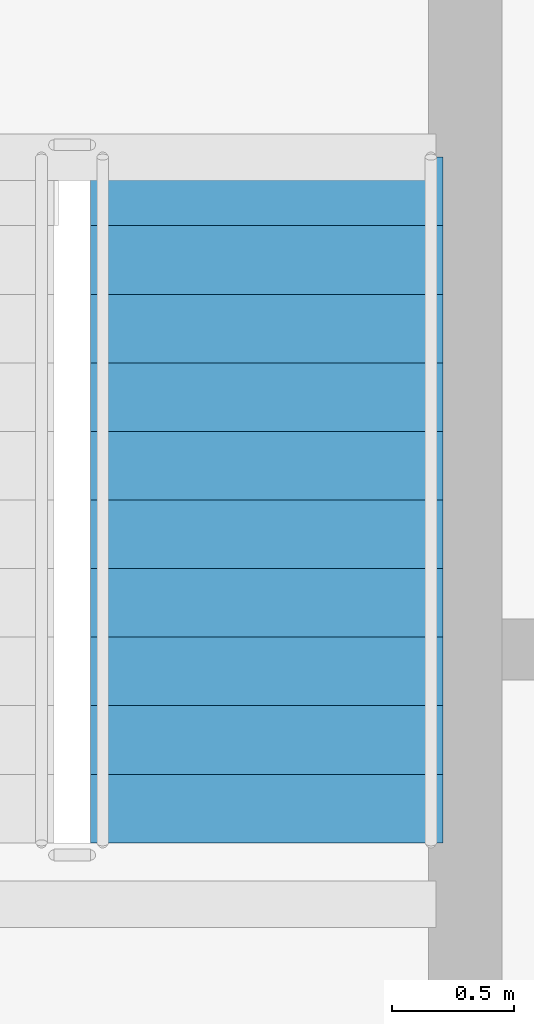
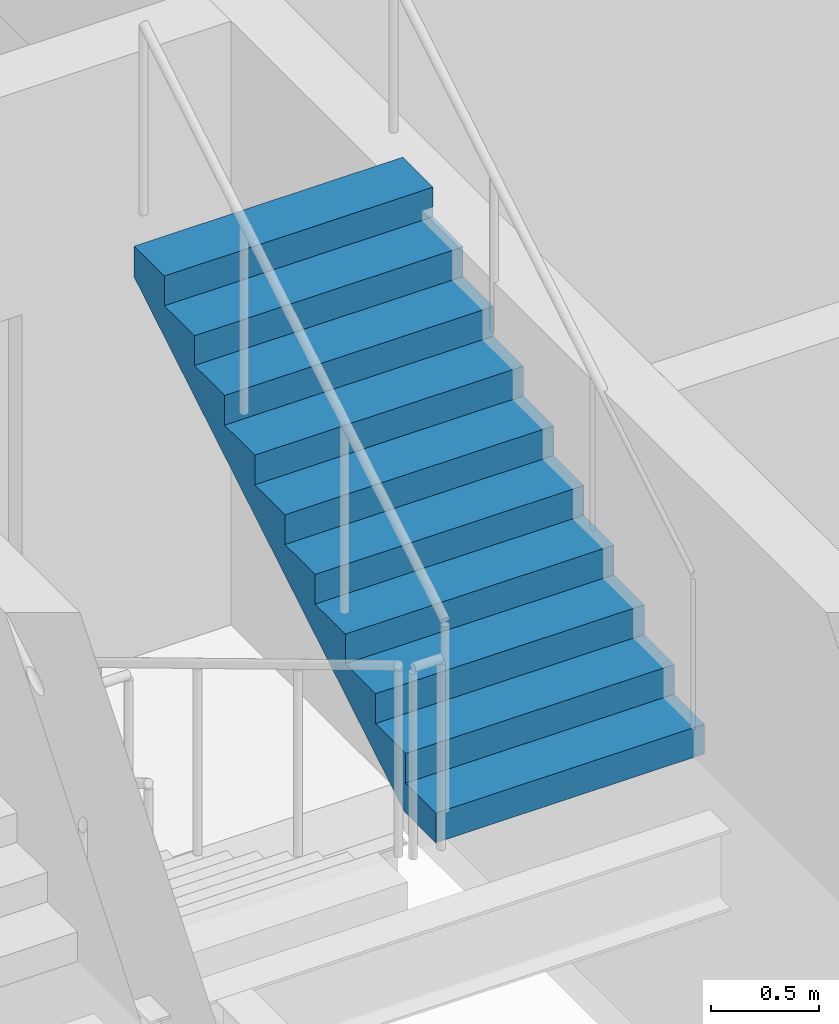
# One storey, part 24 of 29: 1 stair flight, 1 element without a shape of its own.
"""IFC4 building model written with IfcOpenShell, lengths in metres."""

import ifcopenshell
import ifcopenshell.guid

model = None  # the IFC model being written
_history = None  # IfcOwnerHistory: only IFC2X3 demands one
_inside = {}  # id of a spatial element -> (the spatial element, [elements in it])
_under = {}  # id of a project, library or spatial element -> (it, [spatial elements below it])
_declared = {}  # id of a project -> (the project, [libraries it declares])
_typed = {}  # id of a type object -> (the type object, [elements of that type])
_made_of = {}  # id of a material, layer set ... -> (it, [elements and type objects made of it])


def new_model(schema):
    """Start an empty IFC model of exactly this schema.

    Asked for "IFC4X3", IfcOpenShell would pick the latest addendum, in which some entities
    have other attributes; the version numbers below select the first issue.
    IFC2X3 requires an IfcOwnerHistory on every rooted entity: one is made here for all.
    """
    global model, _history
    if schema == "IFC4X3":
        model = ifcopenshell.file(schema_version=(4, 3, 0, 0))
    else:
        model = ifcopenshell.file(schema=schema)
    _inside.clear()
    _under.clear()
    _declared.clear()
    _typed.clear()
    _made_of.clear()
    _history = None
    if model.schema == "IFC2X3":
        org = make("IfcOrganization", Name="unknown")
        user = make(
            "IfcPersonAndOrganization",
            ThePerson=make("IfcPerson", FamilyName="unknown"),
            TheOrganization=org,
        )
        app = make(
            "IfcApplication",
            ApplicationDeveloper=org,
            Version="unknown",
            ApplicationFullName="unknown",
            ApplicationIdentifier="unknown",
        )
        _history = make(
            "IfcOwnerHistory",
            OwningUser=user,
            OwningApplication=app,
            ChangeAction="ADDED",
            CreationDate=0,
        )
    return model


def make(cls, **values):
    """One entity of the class cls with the attributes given. An attribute that is None is left unset."""
    return model.create_entity(
        cls, **{name: value for name, value in values.items() if value is not None}
    )


def rooted(cls, **values):
    """An entity with a GlobalId (a new one), such as an element, a storey or a relation."""
    return make(cls, GlobalId=ifcopenshell.guid.new(), OwnerHistory=_history, **values)


def si_unit(unit_type, name, prefix=None):
    """IfcSIUnit, for example si_unit("LENGTHUNIT", "METRE", prefix="MILLI")."""
    return make("IfcSIUnit", UnitType=unit_type, Prefix=prefix, Name=name)


def assignment(units):
    """IfcUnitAssignment: the units of a project."""
    return None if units is None else make("IfcUnitAssignment", Units=units)


def point(xyz):
    """IfcCartesianPoint."""
    return None if xyz is None else make("IfcCartesianPoint", Coordinates=xyz)


def direction(xyz):
    """IfcDirection."""
    return None if xyz is None else make("IfcDirection", DirectionRatios=xyz)


def frame(location, z_axis=None, x_axis=None):
    """IfcAxis2Placement3D, a coordinate frame: its origin and axes. An axis left out is left unset."""
    return make(
        "IfcAxis2Placement3D",
        Location=point(location),
        Axis=direction(z_axis),
        RefDirection=direction(x_axis),
    )


def origin():
    """The frame at (0, 0, 0) with its axes left unset."""
    return frame((0.0, 0.0, 0.0))


def place(relative_to, where):
    """IfcLocalPlacement: puts the frame where relative to a parent placement (None: the world)."""
    return make(
        "IfcLocalPlacement", PlacementRelTo=relative_to, RelativePlacement=where
    )


def context(
    kind, dimensions, precision=None, world=None, true_north=None, identifier=None
):
    """IfcGeometricRepresentationContext, for example the 3D "Model" context."""
    return make(
        "IfcGeometricRepresentationContext",
        ContextIdentifier=identifier,
        ContextType=kind,
        CoordinateSpaceDimension=dimensions,
        Precision=precision,
        WorldCoordinateSystem=world,
        TrueNorth=true_north,
    )


def subcontext(parent, identifier, kind, view, scale=None):
    """IfcGeometricRepresentationSubContext, for example "Body" below "Model"."""
    return make(
        "IfcGeometricRepresentationSubContext",
        ContextIdentifier=identifier,
        ContextType=kind,
        ParentContext=parent,
        TargetScale=scale,
        TargetView=view,
    )


def project(units=None, contexts=None):
    """IfcProject with its units and contexts."""
    return rooted(
        "IfcProject",
        Name="project",
        RepresentationContexts=contexts,
        UnitsInContext=assignment(units),
    )


def spatial(cls, under=None, at=None, **own):
    """A site, building, storey or space (cls), placed at a placement, below another one or the project."""
    s = rooted(cls, ObjectPlacement=at, **own)
    if under is not None:
        _under.setdefault(under.id(), (under, []))[1].append(s)
    return s


def polyline(points):
    """IfcPolyline through the points."""
    return make("IfcPolyline", Points=[point(p) for p in points])


def outline(outer, holes=None, kind="AREA"):
    """IfcArbitraryClosedProfileDef: a profile drawn as a closed curve; with holes, ...WithVoids."""
    if holes is None:
        return make("IfcArbitraryClosedProfileDef", ProfileType=kind, OuterCurve=outer)
    return make(
        "IfcArbitraryProfileDefWithVoids",
        ProfileType=kind,
        OuterCurve=outer,
        InnerCurves=holes,
    )


def extrude(swept, where, along, depth):
    """IfcExtrudedAreaSolid: the profile swept, set in the frame where, extruded along a direction by depth."""
    return make(
        "IfcExtrudedAreaSolid",
        SweptArea=swept,
        Position=where,
        ExtrudedDirection=direction(along),
        Depth=depth,
    )


def shape(context_of_items, identifier, shape_type, items):
    """IfcShapeRepresentation: the items that make up one representation, for example the "Body"."""
    return make(
        "IfcShapeRepresentation",
        ContextOfItems=context_of_items,
        RepresentationIdentifier=identifier,
        RepresentationType=shape_type,
        Items=items,
    )


def material(Name=None, Category=None):
    """IfcMaterial."""
    return make("IfcMaterial", Name=Name, Category=Category)


def layer(
    of_material, thickness, ventilated=None, Name=None, Category=None, Priority=None
):
    """IfcMaterialLayer: one layer of a wall or slab, of a material (None: an air gap)."""
    return make(
        "IfcMaterialLayer",
        Material=of_material,
        LayerThickness=thickness,
        IsVentilated=ventilated,
        Name=Name,
        Category=Category,
        Priority=Priority,
    )


def layer_set(layers, Name=None):
    """IfcMaterialLayerSet."""
    return make("IfcMaterialLayerSet", MaterialLayers=layers, LayerSetName=Name)


def made_of(thing, what):
    """Note that an element or type object is made of a material, layer set ...; save() writes the relation."""
    if what is not None:
        _made_of.setdefault(what.id(), (what, []))[1].append(thing)
    return thing


def type_object(cls, material=None, **own):
    """A type object (cls), such as IfcWallType, which elements share."""
    return made_of(rooted(cls, **own), material)


def element(
    cls,
    number,
    at=None,
    inside=None,
    cuts=None,
    type_object=None,
    material=None,
    context=None,
    identifier="Body",
    shape_type=None,
    held_by="IfcProductDefinitionShape",
    body=None,
    shapes=None,
    **own,
):
    """One element of the class cls, such as IfcWall. Its Tag is "e" and its number.

    at: its placement. inside: the storey or other place that contains it. cuts: it is an
    opening in that element (IfcRelVoidsElement). A single representation is given by context,
    identifier, shape_type and body (its items); several are given by shapes. held_by: the class
    of the entity that holds the representations. save() writes the other relations.
    """
    e = rooted(cls, Tag="e%d" % number, ObjectPlacement=at, **own)
    if body is not None:
        shapes = [shape(context, identifier, shape_type, body)]
    if shapes is not None:
        e.Representation = make(held_by, Representations=shapes)
    if inside is not None:
        _inside.setdefault(inside.id(), (inside, []))[1].append(e)
    if cuts is not None:
        rooted(
            "IfcRelVoidsElement", RelatingBuildingElement=cuts, RelatedOpeningElement=e
        )
    if type_object is not None:
        _typed.setdefault(type_object.id(), (type_object, []))[1].append(e)
    return made_of(e, material)


def aggregate(whole, parts):
    """IfcRelAggregates: a whole, such as a stair, and the parts it consists of."""
    return rooted("IfcRelAggregates", RelatingObject=whole, RelatedObjects=parts)


def save(model, path):
    """Write the relations noted so far, then the file.

    IfcRelAggregates (storeys below a building ...), IfcRelContainedInSpatialStructure (elements
    in a storey), IfcRelDefinesByType, IfcRelAssociatesMaterial and IfcRelDeclares: one each for
    every whole, place, type object, material and project.
    """
    for whole, parts in _under.values():
        aggregate(whole, parts)
    for where, things in _inside.values():
        rooted(
            "IfcRelContainedInSpatialStructure",
            RelatedElements=things,
            RelatingStructure=where,
        )
    for kind, things in _typed.values():
        rooted("IfcRelDefinesByType", RelatedObjects=things, RelatingType=kind)
    for what, things in _made_of.values():
        rooted("IfcRelAssociatesMaterial", RelatedObjects=things, RelatingMaterial=what)
    for by, libraries in _declared.values():
        rooted("IfcRelDeclares", RelatingContext=by, RelatedDefinitions=libraries)
    model.write(path)


model = new_model("IFC4")

# Units and contexts
model_context = context("Model", 3, precision=1e-05, world=origin(), true_north=direction((0.0, 1.0)))
body_context = subcontext(model_context, "Body", "Model", "MODEL_VIEW")
ifc_project = project(units=[si_unit("LENGTHUNIT", "METRE"), si_unit("AREAUNIT", "SQUARE_METRE"), si_unit("VOLUMEUNIT", "CUBIC_METRE"), si_unit("PLANEANGLEUNIT", "RADIAN"), si_unit("MASSUNIT", "GRAM", prefix="KILO")], contexts=[model_context])

# Site, building, storey
site_placement = place(None, origin())
site = spatial("IfcSite", under=ifc_project, at=site_placement, CompositionType="ELEMENT")
building_placement = place(site_placement, origin())
building = spatial("IfcBuilding", under=site, at=building_placement, Name="Solvaryn Broadcast Tower", CompositionType="ELEMENT")
storey_placement = place(building_placement, frame((0.0, 0.0, 117.39990234375)))
storey = spatial("IfcBuildingStorey", under=building, at=storey_placement, Name="L28", CompositionType="ELEMENT", Elevation=117.39990234375)

# Stair, stair flight
ifc_material_1 = material(Name="Concrete f'c 60 MPa", Category="concrete")
stair_type = type_object("IfcStairType", Name="ST-CORE", PredefinedType="HALF_TURN_STAIR", material=ifc_material_1)
stair_placement = place(storey_placement, origin())
stair = element("IfcStair", 1, at=stair_placement, inside=storey, type_object=stair_type, Name="L28 ST2", PredefinedType="HALF_TURN_STAIR")
ifc_material_2 = material(Name="Concrete f'c 60 MPa", Category="concrete")
ifc_layer = layer(ifc_material_2, 0.159912109375)
ifc_layer_set = layer_set([ifc_layer], Name="SF-CORE")
stair_flight_type = type_object("IfcStairFlightType", Name="SF-CORE", PredefinedType="STRAIGHT", material=ifc_layer_set)
stair_flight_placement = place(storey_placement, frame((17.110107421875, 33.159912109375, 1.85009765625), z_axis=(0.0, 0.0, 1.0), x_axis=(0.0, 1.0, 0.0)))
stair_flight = element("IfcStairFlight", 2, at=stair_flight_placement, type_object=stair_flight_type, Name="ST2 flight 2", NumberOfRisers=11, NumberOfTreads=10, PredefinedType="STRAIGHT", RiserHeight=0.168181818, TreadLength=0.28, context=body_context, shape_type="SweptSolid", body=[
    extrude(outline(polyline([(0.0, 0.0), (0.0, 0.168212890625), (0.280029296875, 0.168212890625), (0.280029296875, 0.33642578125), (0.56005859375, 0.33642578125), (0.56005859375, 0.504638671875), (0.840087890625, 0.504638671875), (0.840087890625, 0.672607421875), (1.1201171875, 0.672607421875), (1.1201171875, 0.8408203125), (1.39990234375, 0.8408203125), (1.39990234375, 1.009033203125), (1.679931640625, 1.009033203125), (1.679931640625, 1.17724609375), (1.9599609375, 1.17724609375), (1.9599609375, 1.345458984375), (2.239990234375, 1.345458984375), (2.239990234375, 1.513671875), (2.52001953125, 1.513671875), (2.52001953125, 1.681884765625), (2.800048828125, 1.681884765625), (2.800048828125, 1.85009765625), (2.800048828125, 1.5068359375), (0.291015625, 0.0), (0.0, 0.0)])), frame((0.0, 0.719970703125, 0.0), z_axis=(0.0, -1.0, 0.0), x_axis=(1.0, 0.0, 0.0)), (0.0, 0.0, 1.0), 1.43994140625),
])
aggregate(stair, [stair_flight])

save(model, "model.ifc")
